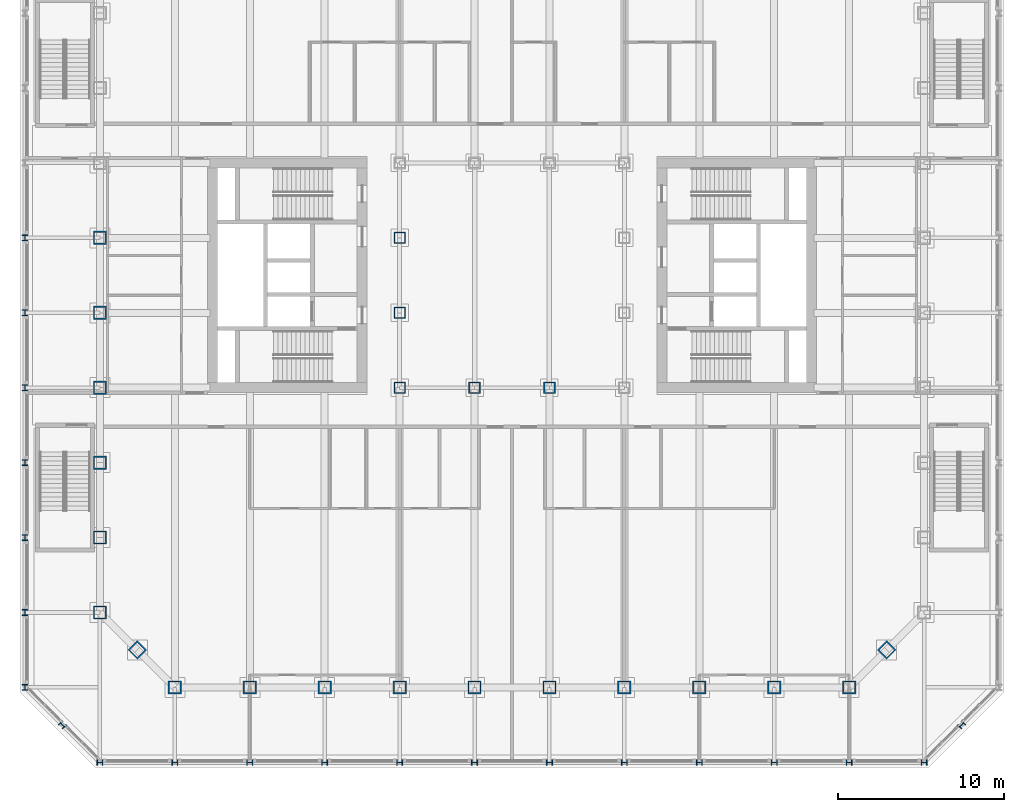
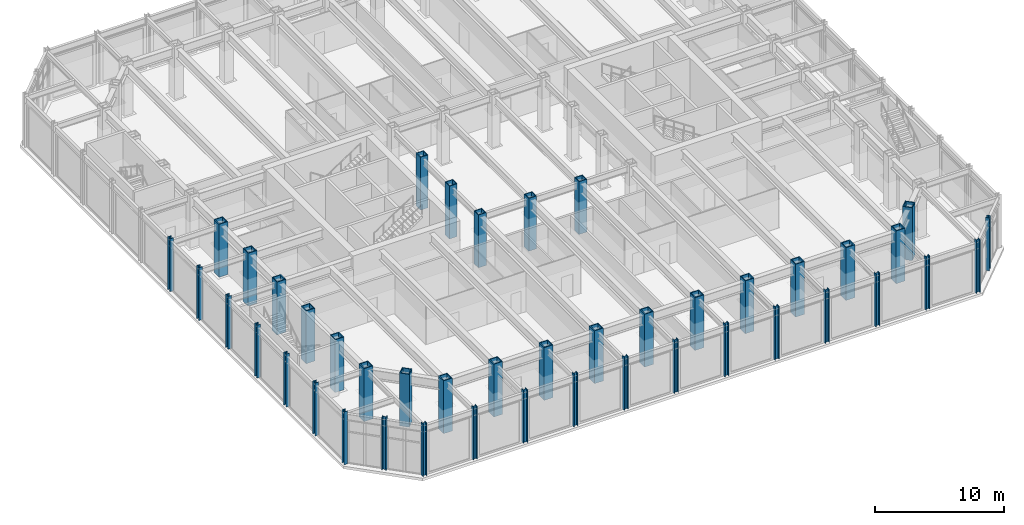
# One storey, part 1 of 19: 44 columns.
"""IFC4 building model written with IfcOpenShell, lengths in metres."""

from ifc_helpers import new_model, si_unit, direction, frame, origin, origin_2d, place, context, subcontext, project, spatial, hollow_rectangle, i_section, extrude, material, material_profile, profile_set, type_object, element, save


model = new_model("IFC4")

# Units and contexts
model_context = context("Model", 3, precision=1e-05, world=origin(), true_north=direction((0.0, 1.0)))
body_context = subcontext(model_context, "Body", "Model", "MODEL_VIEW")
ifc_project = project(units=[si_unit("LENGTHUNIT", "METRE"), si_unit("AREAUNIT", "SQUARE_METRE"), si_unit("VOLUMEUNIT", "CUBIC_METRE"), si_unit("PLANEANGLEUNIT", "RADIAN"), si_unit("MASSUNIT", "GRAM", prefix="KILO")], contexts=[model_context])

# Site, building, storey
site_placement = place(None, origin())
site = spatial("IfcSite", under=ifc_project, at=site_placement, CompositionType="ELEMENT")
building_placement = place(site_placement, origin())
building = spatial("IfcBuilding", under=site, at=building_placement, Name="Msasa Ring Tower", CompositionType="ELEMENT")
storey_placement = place(building_placement, frame((0.0, 0.0, 11.0)))
storey = spatial("IfcBuildingStorey", under=building, at=storey_placement, Name="L02", CompositionType="ELEMENT", Elevation=11.0)

# Columns
ifc_material_1 = material(Name="Steel S355", Category="steel")
ifc_material_profile_1 = material_profile(ifc_material_1, hollow_rectangle(XDim=0.699951171875, YDim=0.699951171875, WallThickness=0.070068359375, at=origin_2d()), Name="BOX 700x700x70")
ifc_profile_set_1 = profile_set([ifc_material_profile_1], Name="Steel S355")
column_type_1 = type_object("IfcColumnType", Name="IC1 BOX 700x700x70", PredefinedType="COLUMN", material=ifc_profile_set_1)
for number, where, z_axis, x_axis, name in (
    (1, (-6.75, -6.75, 0.0), (0.0, 0.0, 1.0), (1.0, 0.0, 0.0), "Inner ring column IR-6.75-6.75 L02"),
    (2, (-6.75, -2.25, 0.0), (0.0, 0.0, 1.0), (1.0, 0.0, 0.0), "Inner ring column IR-6.75-2.25 L02"),
    (3, (-6.75, 2.25, 0.0), (0.0, 0.0, 1.0), (1.0, 0.0, 0.0), "Inner ring column IR-6.75+2.25 L02"),
    (4, (-2.25, -6.75, 0.0), (0.0, 0.0, 1.0), (1.0, 0.0, 0.0), "Inner ring column IR-2.25-6.75 L02"),
    (5, (2.25, -6.75, 0.0), (0.0, 0.0, 1.0), (1.0, 0.0, 0.0), "Inner ring column IR+2.25-6.75 L02"),
):
    element("IfcColumn", number, at=place(storey_placement, frame(where, z_axis=z_axis, x_axis=x_axis)), inside=storey, type_object=column_type_1, Name=name, PredefinedType="COLUMN", context=body_context, shape_type="SweptSolid", body=[
        extrude(hollow_rectangle(XDim=0.699951171875, YDim=0.699951171875, WallThickness=0.070068359375, at=origin_2d()), origin(), (0.0, 0.0, 1.0), 5.0),
    ])
ifc_material_2 = material(Name="Steel S355", Category="steel")
ifc_material_profile_2 = material_profile(ifc_material_2, i_section(OverallWidth=0.322265625, OverallDepth=0.365234375, WebThickness=0.02685546875, FlangeThickness=0.044189453125, FilletRadius=0.01513671875, at=origin_2d()), Name="UC 305x305x283")
ifc_profile_set_2 = profile_set([ifc_material_profile_2], Name="Steel S355")
column_type_2 = type_object("IfcColumnType", Name="PC1 UC 305x305x283", PredefinedType="COLUMN", material=ifc_profile_set_2)
for number, where, z_axis, x_axis, name in (
    (6, (-24.75, -29.25, 0.0), (0.0, 0.0, 1.0), (0.0, 1.0, 0.0), "Podium column S-24.75 L02"),
    (7, (-29.25, -24.75, 0.0), (0.0, 0.0, 1.0), (1.0, 0.0, 0.0), "Podium column W-24.75 L02"),
    (8, (-20.25, -29.25, 0.0), (0.0, 0.0, 1.0), (0.0, 1.0, 0.0), "Podium column S-20.25 L02"),
    (9, (-29.25, -20.25, 0.0), (0.0, 0.0, 1.0), (1.0, 0.0, 0.0), "Podium column W-20.25 L02"),
    (10, (-15.75, -29.25, 0.0), (0.0, 0.0, 1.0), (0.0, 1.0, 0.0), "Podium column S-15.75 L02"),
    (11, (-29.25, -15.75, 0.0), (0.0, 0.0, 1.0), (1.0, 0.0, 0.0), "Podium column W-15.75 L02"),
    (12, (-11.25, -29.25, 0.0), (0.0, 0.0, 1.0), (0.0, 1.0, 0.0), "Podium column S-11.25 L02"),
    (13, (-29.25, -11.25, 0.0), (0.0, 0.0, 1.0), (1.0, 0.0, 0.0), "Podium column W-11.25 L02"),
    (14, (-6.75, -29.25, 0.0), (0.0, 0.0, 1.0), (0.0, 1.0, 0.0), "Podium column S-6.75 L02"),
    (15, (-29.25, -6.75, 0.0), (0.0, 0.0, 1.0), (1.0, 0.0, 0.0), "Podium column W-6.75 L02"),
    (16, (-2.25, -29.25, 0.0), (0.0, 0.0, 1.0), (0.0, 1.0, 0.0), "Podium column S-2.25 L02"),
    (17, (-29.25, -2.25, 0.0), (0.0, 0.0, 1.0), (1.0, 0.0, 0.0), "Podium column W-2.25 L02"),
    (18, (2.25, -29.25, 0.0), (0.0, 0.0, 1.0), (0.0, 1.0, 0.0), "Podium column S+2.25 L02"),
    (19, (-29.25, 2.25, 0.0), (0.0, 0.0, 1.0), (1.0, 0.0, 0.0), "Podium column W+2.25 L02"),
    (20, (6.75, -29.25, 0.0), (0.0, 0.0, 1.0), (0.0, 1.0, 0.0), "Podium column S+6.75 L02"),
    (21, (11.25, -29.25, 0.0), (0.0, 0.0, 1.0), (0.0, 1.0, 0.0), "Podium column S+11.25 L02"),
    (22, (15.75, -29.25, 0.0), (0.0, 0.0, 1.0), (0.0, 1.0, 0.0), "Podium column S+15.75 L02"),
    (23, (20.25, -29.25, 0.0), (0.0, 0.0, 1.0), (0.0, 1.0, 0.0), "Podium column S+20.25 L02"),
    (24, (24.75, -29.25, 0.0), (0.0, 0.0, 1.0), (0.0, 1.0, 0.0), "Podium column S+24.75 L02"),
    (25, (27.0, -27.0, 0.0), (0.0, 0.0, 1.0), (0.707106781187, -0.707106781187, 0.0), "Podium column SE L02"),
    (26, (-27.0, -27.0, 0.0), (0.0, 0.0, 1.0), (0.707106781187, 0.707106781187, 0.0), "Podium column SW L02"),
):
    element("IfcColumn", number, at=place(storey_placement, frame(where, z_axis=z_axis, x_axis=x_axis)), inside=storey, type_object=column_type_2, Name=name, PredefinedType="COLUMN", context=body_context, shape_type="SweptSolid", body=[
        extrude(i_section(OverallWidth=0.322265625, OverallDepth=0.365234375, WebThickness=0.02685546875, FlangeThickness=0.044189453125, FilletRadius=0.01513671875, at=origin_2d()), origin(), (0.0, 0.0, 1.0), 5.0),
    ])
ifc_material_3 = material(Name="Steel S355", Category="steel")
ifc_material_profile_3 = material_profile(ifc_material_3, hollow_rectangle(XDim=0.800048828125, YDim=0.800048828125, WallThickness=0.080078125, at=origin_2d()), Name="BOX 800x800x80")
ifc_profile_set_3 = profile_set([ifc_material_profile_3], Name="Steel S355")
column_type_3 = type_object("IfcColumnType", Name="TC1 BOX 800x800x80", PredefinedType="COLUMN", material=ifc_profile_set_3)
for number, where, z_axis, x_axis, name in (
    (27, (-20.25, -24.75, 0.0), (0.0, 0.0, 1.0), (0.0, 1.0, 0.0), "Tube column S-20.25 L02"),
    (28, (-24.75, -20.25, 0.0), (0.0, 0.0, 1.0), (1.0, 0.0, 0.0), "Tube column W-20.25 L02"),
    (29, (-15.75, -24.75, 0.0), (0.0, 0.0, 1.0), (0.0, 1.0, 0.0), "Tube column S-15.75 L02"),
    (30, (-24.75, -15.75, 0.0), (0.0, 0.0, 1.0), (1.0, 0.0, 0.0), "Tube column W-15.75 L02"),
    (31, (-11.25, -24.75, 0.0), (0.0, 0.0, 1.0), (0.0, 1.0, 0.0), "Tube column S-11.25 L02"),
    (32, (-24.75, -11.25, 0.0), (0.0, 0.0, 1.0), (1.0, 0.0, 0.0), "Tube column W-11.25 L02"),
    (33, (-6.75, -24.75, 0.0), (0.0, 0.0, 1.0), (0.0, 1.0, 0.0), "Tube column S-6.75 L02"),
    (34, (-24.75, -6.75, 0.0), (0.0, 0.0, 1.0), (1.0, 0.0, 0.0), "Tube column W-6.75 L02"),
    (35, (-2.25, -24.75, 0.0), (0.0, 0.0, 1.0), (0.0, 1.0, 0.0), "Tube column S-2.25 L02"),
    (36, (-24.75, -2.25, 0.0), (0.0, 0.0, 1.0), (1.0, 0.0, 0.0), "Tube column W-2.25 L02"),
    (37, (2.25, -24.75, 0.0), (0.0, 0.0, 1.0), (0.0, 1.0, 0.0), "Tube column S+2.25 L02"),
    (38, (-24.75, 2.25, 0.0), (0.0, 0.0, 1.0), (1.0, 0.0, 0.0), "Tube column W+2.25 L02"),
    (39, (6.75, -24.75, 0.0), (0.0, 0.0, 1.0), (0.0, 1.0, 0.0), "Tube column S+6.75 L02"),
    (40, (11.25, -24.75, 0.0), (0.0, 0.0, 1.0), (0.0, 1.0, 0.0), "Tube column S+11.25 L02"),
    (41, (15.75, -24.75, 0.0), (0.0, 0.0, 1.0), (0.0, 1.0, 0.0), "Tube column S+15.75 L02"),
    (42, (20.25, -24.75, 0.0), (0.0, 0.0, 1.0), (0.0, 1.0, 0.0), "Tube column S+20.25 L02"),
    (43, (22.5, -22.5, 0.0), (0.0, 0.0, 1.0), (0.707106781187, -0.707106781187, 0.0), "Tube column SE L02"),
    (44, (-22.5, -22.5, 0.0), (0.0, 0.0, 1.0), (0.707106781187, 0.707106781187, 0.0), "Tube column SW L02"),
):
    element("IfcColumn", number, at=place(storey_placement, frame(where, z_axis=z_axis, x_axis=x_axis)), inside=storey, type_object=column_type_3, Name=name, PredefinedType="COLUMN", context=body_context, shape_type="SweptSolid", body=[
        extrude(hollow_rectangle(XDim=0.800048828125, YDim=0.800048828125, WallThickness=0.080078125, at=origin_2d()), origin(), (0.0, 0.0, 1.0), 5.0),
    ])

save(model, "model.ifc")
